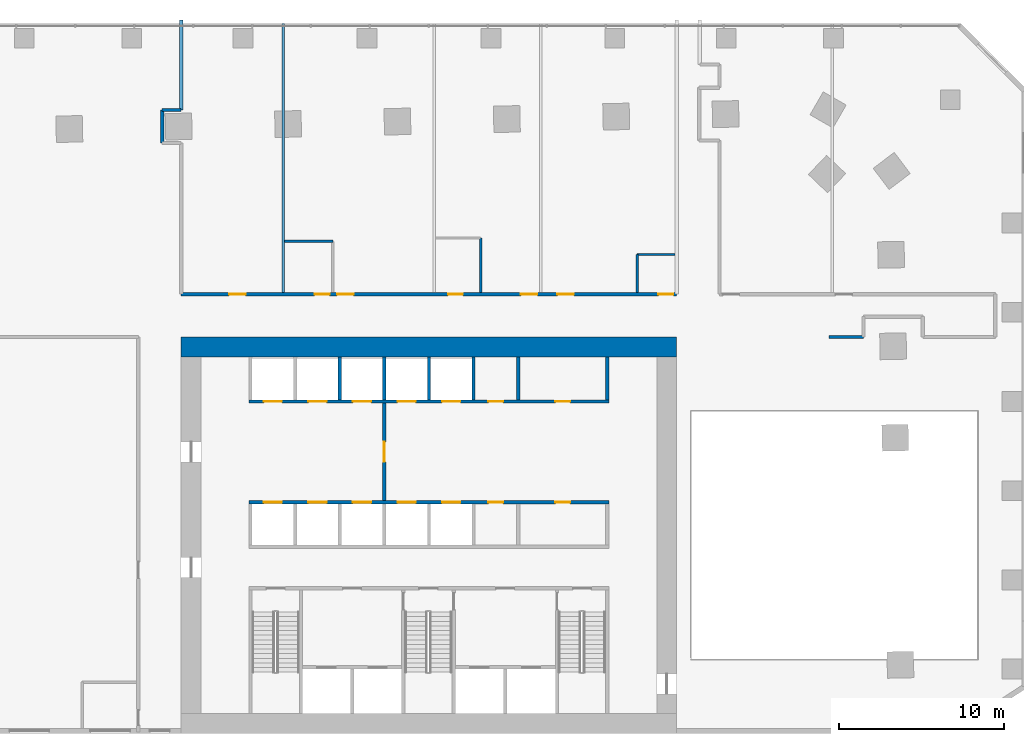
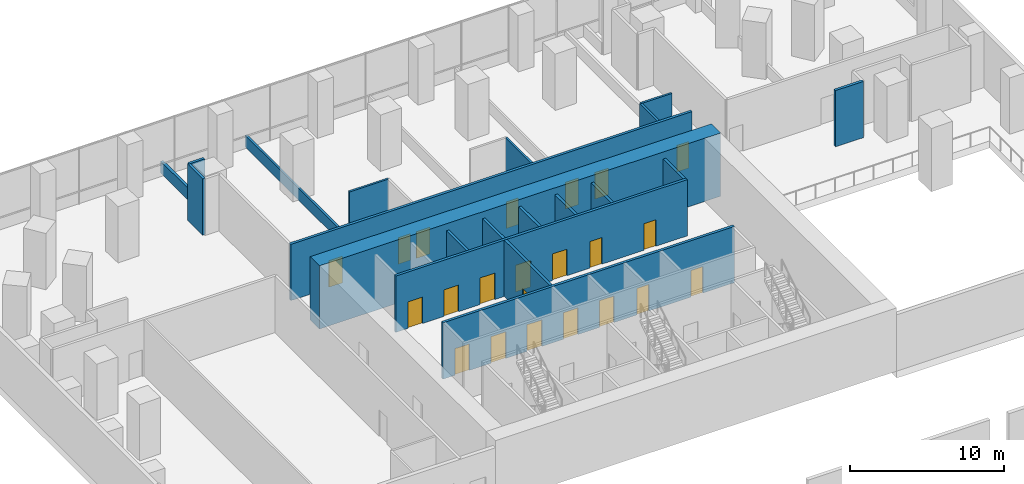
# One storey, part 8 of 11: 22 doors, 20 walls, 22 openings.
"""IFC4 building model written with IfcOpenShell, lengths in metres."""

from ifc_helpers import new_model, si_unit, direction, frame, frame_2d, origin, place, context, subcontext, project, spatial, rectangle, extrude, material, layer, layer_set, type_object, element, fill, save


model = new_model("IFC4")

# Units and contexts
model_context = context("Model", 3, precision=1e-05, world=origin(), true_north=direction((0.0, 1.0)))
body_context = subcontext(model_context, "Body", "Model", "MODEL_VIEW")
ifc_project = project(units=[si_unit("LENGTHUNIT", "METRE"), si_unit("AREAUNIT", "SQUARE_METRE"), si_unit("VOLUMEUNIT", "CUBIC_METRE"), si_unit("PLANEANGLEUNIT", "RADIAN"), si_unit("MASSUNIT", "GRAM", prefix="KILO")], contexts=[model_context])

# Site, building, storey
site_placement = place(None, origin())
site = spatial("IfcSite", under=ifc_project, at=site_placement, CompositionType="ELEMENT")
building_placement = place(site_placement, origin())
building = spatial("IfcBuilding", under=site, at=building_placement, Name="Mangrove Gate Tower", CompositionType="ELEMENT")
storey_placement = place(building_placement, frame((0.0, 0.0, 6.0)))
storey = spatial("IfcBuildingStorey", under=building, at=storey_placement, Name="L01", CompositionType="ELEMENT", Elevation=6.0)

# Wall, opening, door
ifc_material_1 = material(Name="Concrete C32/40", Category="concrete")
ifc_layer_1 = layer(ifc_material_1, 0.199951171875)
ifc_layer_set_1 = layer_set([ifc_layer_1], Name="Core lobby wall 200 C32/40")
wall_type_1 = type_object("IfcWallType", Name="Core lobby wall 200 C32/40", PredefinedType="STANDARD", material=ifc_layer_set_1)
wall_1_placement = place(storey_placement, frame((-2.699951171875, 2.10009765625, 0.0), z_axis=(0.0, 0.0, 1.0), x_axis=(0.0, 1.0, 0.0)))
wall_1 = element("IfcWall", 1, at=wall_1_placement, inside=storey, type_object=wall_type_1, Name="WALL-L01-CORE-35", PredefinedType="STANDARD", context=body_context, shape_type="SweptSolid", body=[
    extrude(rectangle(XDim=5.89990234375, YDim=0.199951171875, at=frame_2d((2.949951171875, 0.0))), origin(), (0.0, 0.0, 1.0), 4.449951171875),
])
opening_1_placement = place(wall_1_placement, frame((2.35009765625, 0.0, 0.0)))
opening_1 = element("IfcOpeningElement", 2, at=opening_1_placement, cuts=wall_1, Name="Opening FL12", PredefinedType="OPENING", context=body_context, shape_type="SweptSolid", body=[
    extrude(rectangle(XDim=1.199951171875, YDim=2.10009765625, at=frame_2d((0.60009765625, 1.050048828125))), frame((0.0, 0.10986328125, 0.0), z_axis=(0.0, -1.0, 0.0), x_axis=(1.0, 0.0, 0.0)), (0.0, 0.0, 1.0), 0.219970703125),
])
ifc_material_2 = material(Name="Fire-rated steel door set", Category="steel")
door_type_1 = type_object("IfcDoorType", Name="Lobby door FD60 1200x2100", OperationType="SINGLE_SWING_LEFT", PredefinedType="DOOR", material=ifc_material_2)
door_1_placement = place(opening_1_placement, origin())
door_1 = element("IfcDoor", 3, at=door_1_placement, inside=storey, type_object=door_type_1, Name="Lobby door lift lobby partition", OperationType="SINGLE_SWING_LEFT", OverallHeight=2.10009765625, OverallWidth=1.199951171875, PredefinedType="DOOR", context=body_context, shape_type="SweptSolid", body=[
    extrude(rectangle(XDim=1.199951171875, YDim=2.10009765625, at=frame_2d((0.60009765625, 1.050048828125))), frame((0.0, 0.02490234375, 0.0), z_axis=(0.0, -1.0, 0.0), x_axis=(1.0, 0.0, 0.0)), (0.0, 0.0, 1.0), 0.050048828125),
])
fill(opening_1, door_1)

# Walls
ifc_material_3 = material(Name="Concrete C32/40", Category="concrete")
ifc_layer_2 = layer(ifc_material_3, 0.199951171875)
ifc_layer_set_2 = layer_set([ifc_layer_2], Name="Core room wall 200 C32/40")
wall_type_2 = type_object("IfcWallType", Name="Core room wall 200 C32/40", PredefinedType="STANDARD", material=ifc_layer_set_2)
for number, where, z_axis, x_axis, name in (
    (4, (5.39990234375, 8.199951171875, 0.0), (0.0, 0.0, 1.0), (0.0, 1.0, 0.0), "WALL-L01-CORE-33"),
    (5, (10.800048828125, 8.199951171875, 0.0), (0.0, 0.0, 1.0), (0.0, 1.0, 0.0), "WALL-L01-CORE-34"),
):
    element("IfcWall", number, at=place(storey_placement, frame(where, z_axis=z_axis, x_axis=x_axis)), inside=storey, type_object=wall_type_2, Name=name, PredefinedType="STANDARD", context=body_context, shape_type="SweptSolid", body=[
        extrude(rectangle(XDim=2.60009765625, YDim=0.199951171875, at=frame_2d((1.300048828125, 0.0))), origin(), (0.0, 0.0, 1.0), 4.449951171875),
    ])

# Wall, openings, doors
ifc_material_4 = material(Name="Concrete C70/85", Category="concrete")
ifc_layer_3 = layer(ifc_material_4, 0.199951171875)
ifc_layer_set_3 = layer_set([ifc_layer_3], Name="Core shaft wall 200 C70/85")
wall_type_3 = type_object("IfcWallType", Name="Core shaft wall 200 C70/85", PredefinedType="SHEAR", material=ifc_layer_set_3)
wall_2_placement = place(storey_placement, frame((-10.89990234375, 2.0, 0.0), z_axis=(0.0, 0.0, 1.0), x_axis=(1.0, 0.0, 0.0)))
wall_2 = element("IfcWall", 6, at=wall_2_placement, inside=storey, type_object=wall_type_3, Name="WALL-L01-CORE-7", PredefinedType="SHEAR", context=body_context, shape_type="SweptSolid", body=[
    extrude(rectangle(XDim=21.7998046875, YDim=0.199951171875, at=frame_2d((10.89990234375, 0.0))), origin(), (0.0, 0.0, 1.0), 4.449951171875),
])
opening_2_placement = place(wall_2_placement, frame((0.89990234375, 0.0, 0.0)))
opening_2 = element("IfcOpeningElement", 7, at=opening_2_placement, cuts=wall_2, Name="Opening LD", PredefinedType="OPENING", context=body_context, shape_type="SweptSolid", body=[
    extrude(rectangle(XDim=1.10009765625, YDim=2.10009765625, at=frame_2d((0.550048828125, 1.050048828125))), frame((0.0, 0.10986328125, 0.0), z_axis=(0.0, -1.0, 0.0), x_axis=(1.0, 0.0, 0.0)), (0.0, 0.0, 1.0), 0.219970703125),
])
opening_3_placement = place(wall_2_placement, frame((3.60009765625, 0.0, 0.0)))
opening_3 = element("IfcOpeningElement", 8, at=opening_3_placement, cuts=wall_2, Name="Opening LD", PredefinedType="OPENING", context=body_context, shape_type="SweptSolid", body=[
    extrude(rectangle(XDim=1.10009765625, YDim=2.10009765625, at=frame_2d((0.550048828125, 1.050048828125))), frame((0.0, 0.10986328125, 0.0), z_axis=(0.0, -1.0, 0.0), x_axis=(1.0, 0.0, 0.0)), (0.0, 0.0, 1.0), 0.219970703125),
])
opening_4_placement = place(wall_2_placement, frame((6.300048828125, 0.0, 0.0)))
opening_4 = element("IfcOpeningElement", 9, at=opening_4_placement, cuts=wall_2, Name="Opening LD", PredefinedType="OPENING", context=body_context, shape_type="SweptSolid", body=[
    extrude(rectangle(XDim=1.10009765625, YDim=2.10009765625, at=frame_2d((0.550048828125, 1.050048828125))), frame((0.0, 0.10986328125, 0.0), z_axis=(0.0, -1.0, 0.0), x_axis=(1.0, 0.0, 0.0)), (0.0, 0.0, 1.0), 0.219970703125),
])
opening_5_placement = place(wall_2_placement, frame((9.0, 0.0, 0.0)))
opening_5 = element("IfcOpeningElement", 10, at=opening_5_placement, cuts=wall_2, Name="Opening LD", PredefinedType="OPENING", context=body_context, shape_type="SweptSolid", body=[
    extrude(rectangle(XDim=1.10009765625, YDim=2.10009765625, at=frame_2d((0.550048828125, 1.050048828125))), frame((0.0, 0.10986328125, 0.0), z_axis=(0.0, -1.0, 0.0), x_axis=(1.0, 0.0, 0.0)), (0.0, 0.0, 1.0), 0.219970703125),
])
opening_6_placement = place(wall_2_placement, frame((11.699951171875, 0.0, 0.0)))
opening_6 = element("IfcOpeningElement", 11, at=opening_6_placement, cuts=wall_2, Name="Opening LD", PredefinedType="OPENING", context=body_context, shape_type="SweptSolid", body=[
    extrude(rectangle(XDim=1.10009765625, YDim=2.10009765625, at=frame_2d((0.550048828125, 1.050048828125))), frame((0.0, 0.10986328125, 0.0), z_axis=(0.0, -1.0, 0.0), x_axis=(1.0, 0.0, 0.0)), (0.0, 0.0, 1.0), 0.219970703125),
])
opening_7_placement = place(wall_2_placement, frame((14.5, 0.0, 0.0)))
opening_7 = element("IfcOpeningElement", 12, at=opening_7_placement, cuts=wall_2, Name="Opening RD", PredefinedType="OPENING", context=body_context, shape_type="SweptSolid", body=[
    extrude(rectangle(XDim=0.89990234375, YDim=2.10009765625, at=frame_2d((0.449951171875, 1.050048828125))), frame((0.0, 0.10986328125, 0.0), z_axis=(0.0, -1.0, 0.0), x_axis=(1.0, 0.0, 0.0)), (0.0, 0.0, 1.0), 0.219970703125),
])
opening_8_placement = place(wall_2_placement, frame((18.550048828125, 0.0, 0.0)))
opening_8 = element("IfcOpeningElement", 13, at=opening_8_placement, cuts=wall_2, Name="Opening KD", PredefinedType="OPENING", context=body_context, shape_type="SweptSolid", body=[
    extrude(rectangle(XDim=0.89990234375, YDim=2.10009765625, at=frame_2d((0.449951171875, 1.050048828125))), frame((0.0, 0.10986328125, 0.0), z_axis=(0.0, -1.0, 0.0), x_axis=(1.0, 0.0, 0.0)), (0.0, 0.0, 1.0), 0.219970703125),
])
ifc_material_5 = material(Name="Fire-rated steel door set", Category="steel")
door_type_2 = type_object("IfcDoorType", Name="Core room door FD30S 900x2100", OperationType="SINGLE_SWING_RIGHT", PredefinedType="DOOR", material=ifc_material_5)
door_2_placement = place(opening_8_placement, origin())
door_2 = element("IfcDoor", 14, at=door_2_placement, inside=storey, type_object=door_type_2, Name="Core room door Core WC", OperationType="SINGLE_SWING_RIGHT", OverallHeight=2.10009765625, OverallWidth=0.89990234375, PredefinedType="DOOR", context=body_context, shape_type="SweptSolid", body=[
    extrude(rectangle(XDim=0.89990234375, YDim=2.10009765625, at=frame_2d((0.449951171875, 1.050048828125))), frame((0.0, 0.02490234375, 0.0), z_axis=(0.0, -1.0, 0.0), x_axis=(1.0, 0.0, 0.0)), (0.0, 0.0, 1.0), 0.050048828125),
])
fill(opening_8, door_2)
ifc_material_6 = material(Name="Stainless steel 316", Category="steel")
door_type_3 = type_object("IfcDoorType", Name="Lift landing door 1100x2100", OperationType="SLIDING_TO_LEFT", PredefinedType="DOOR", material=ifc_material_6)
door_3_placement = place(opening_2_placement, origin())
door_3 = element("IfcDoor", 15, at=door_3_placement, inside=storey, type_object=door_type_3, Name="Landing door LD P01", OperationType="SLIDING_TO_LEFT", OverallHeight=2.10009765625, OverallWidth=1.10009765625, PredefinedType="DOOR", context=body_context, shape_type="SweptSolid", body=[
    extrude(rectangle(XDim=1.10009765625, YDim=2.10009765625, at=frame_2d((0.550048828125, 1.050048828125))), frame((0.0, 0.02490234375, 0.0), z_axis=(0.0, -1.0, 0.0), x_axis=(1.0, 0.0, 0.0)), (0.0, 0.0, 1.0), 0.050048828125),
])
fill(opening_2, door_3)
door_4_placement = place(opening_3_placement, origin())
door_4 = element("IfcDoor", 16, at=door_4_placement, inside=storey, type_object=door_type_3, Name="Landing door LD P02", OperationType="SLIDING_TO_LEFT", OverallHeight=2.10009765625, OverallWidth=1.10009765625, PredefinedType="DOOR", context=body_context, shape_type="SweptSolid", body=[
    extrude(rectangle(XDim=1.10009765625, YDim=2.10009765625, at=frame_2d((0.550048828125, 1.050048828125))), frame((0.0, 0.02490234375, 0.0), z_axis=(0.0, -1.0, 0.0), x_axis=(1.0, 0.0, 0.0)), (0.0, 0.0, 1.0), 0.050048828125),
])
fill(opening_3, door_4)
door_5_placement = place(opening_4_placement, origin())
door_5 = element("IfcDoor", 17, at=door_5_placement, inside=storey, type_object=door_type_3, Name="Landing door LD P03", OperationType="SLIDING_TO_LEFT", OverallHeight=2.10009765625, OverallWidth=1.10009765625, PredefinedType="DOOR", context=body_context, shape_type="SweptSolid", body=[
    extrude(rectangle(XDim=1.10009765625, YDim=2.10009765625, at=frame_2d((0.550048828125, 1.050048828125))), frame((0.0, 0.02490234375, 0.0), z_axis=(0.0, -1.0, 0.0), x_axis=(1.0, 0.0, 0.0)), (0.0, 0.0, 1.0), 0.050048828125),
])
fill(opening_4, door_5)
door_6_placement = place(opening_5_placement, origin())
door_6 = element("IfcDoor", 18, at=door_6_placement, inside=storey, type_object=door_type_3, Name="Landing door LD P04", OperationType="SLIDING_TO_LEFT", OverallHeight=2.10009765625, OverallWidth=1.10009765625, PredefinedType="DOOR", context=body_context, shape_type="SweptSolid", body=[
    extrude(rectangle(XDim=1.10009765625, YDim=2.10009765625, at=frame_2d((0.550048828125, 1.050048828125))), frame((0.0, 0.02490234375, 0.0), z_axis=(0.0, -1.0, 0.0), x_axis=(1.0, 0.0, 0.0)), (0.0, 0.0, 1.0), 0.050048828125),
])
fill(opening_5, door_6)
door_7_placement = place(opening_6_placement, origin())
door_7 = element("IfcDoor", 19, at=door_7_placement, inside=storey, type_object=door_type_3, Name="Landing door LD P05", OperationType="SLIDING_TO_LEFT", OverallHeight=2.10009765625, OverallWidth=1.10009765625, PredefinedType="DOOR", context=body_context, shape_type="SweptSolid", body=[
    extrude(rectangle(XDim=1.10009765625, YDim=2.10009765625, at=frame_2d((0.550048828125, 1.050048828125))), frame((0.0, 0.02490234375, 0.0), z_axis=(0.0, -1.0, 0.0), x_axis=(1.0, 0.0, 0.0)), (0.0, 0.0, 1.0), 0.050048828125),
])
fill(opening_6, door_7)
ifc_material_7 = material(Name="Fire-rated steel door set", Category="steel")
door_type_4 = type_object("IfcDoorType", Name="Riser door FD30S 900x2100", OperationType="SINGLE_SWING_LEFT", PredefinedType="DOOR", material=ifc_material_7)
door_8_placement = place(opening_7_placement, origin())
door_8 = element("IfcDoor", 20, at=door_8_placement, inside=storey, type_object=door_type_4, Name="Riser door Comms room", OperationType="SINGLE_SWING_LEFT", OverallHeight=2.10009765625, OverallWidth=0.89990234375, PredefinedType="DOOR", context=body_context, shape_type="SweptSolid", body=[
    extrude(rectangle(XDim=0.89990234375, YDim=2.10009765625, at=frame_2d((0.449951171875, 1.050048828125))), frame((0.0, 0.02490234375, 0.0), z_axis=(0.0, -1.0, 0.0), x_axis=(1.0, 0.0, 0.0)), (0.0, 0.0, 1.0), 0.050048828125),
])
fill(opening_7, door_8)

wall_3_placement = place(storey_placement, frame((-10.89990234375, 8.10009765625, 0.0), z_axis=(0.0, 0.0, 1.0), x_axis=(1.0, 0.0, 0.0)))
wall_3 = element("IfcWall", 21, at=wall_3_placement, inside=storey, type_object=wall_type_3, Name="WALL-L01-CORE-8", PredefinedType="SHEAR", context=body_context, shape_type="SweptSolid", body=[
    extrude(rectangle(XDim=21.7998046875, YDim=0.199951171875, at=frame_2d((10.89990234375, 0.0))), origin(), (0.0, 0.0, 1.0), 4.449951171875),
])
opening_9_placement = place(wall_3_placement, frame((0.89990234375, 0.0, 0.0)))
opening_9 = element("IfcOpeningElement", 22, at=opening_9_placement, cuts=wall_3, Name="Opening LD", PredefinedType="OPENING", context=body_context, shape_type="SweptSolid", body=[
    extrude(rectangle(XDim=1.10009765625, YDim=2.10009765625, at=frame_2d((0.550048828125, 1.050048828125))), frame((0.0, 0.10986328125, 0.0), z_axis=(0.0, -1.0, 0.0), x_axis=(1.0, 0.0, 0.0)), (0.0, 0.0, 1.0), 0.219970703125),
])
opening_10_placement = place(wall_3_placement, frame((3.60009765625, 0.0, 0.0)))
opening_10 = element("IfcOpeningElement", 23, at=opening_10_placement, cuts=wall_3, Name="Opening LD", PredefinedType="OPENING", context=body_context, shape_type="SweptSolid", body=[
    extrude(rectangle(XDim=1.10009765625, YDim=2.10009765625, at=frame_2d((0.550048828125, 1.050048828125))), frame((0.0, 0.10986328125, 0.0), z_axis=(0.0, -1.0, 0.0), x_axis=(1.0, 0.0, 0.0)), (0.0, 0.0, 1.0), 0.219970703125),
])
opening_11_placement = place(wall_3_placement, frame((6.300048828125, 0.0, 0.0)))
opening_11 = element("IfcOpeningElement", 24, at=opening_11_placement, cuts=wall_3, Name="Opening LD", PredefinedType="OPENING", context=body_context, shape_type="SweptSolid", body=[
    extrude(rectangle(XDim=1.10009765625, YDim=2.10009765625, at=frame_2d((0.550048828125, 1.050048828125))), frame((0.0, 0.10986328125, 0.0), z_axis=(0.0, -1.0, 0.0), x_axis=(1.0, 0.0, 0.0)), (0.0, 0.0, 1.0), 0.219970703125),
])
opening_12_placement = place(wall_3_placement, frame((9.0, 0.0, 0.0)))
opening_12 = element("IfcOpeningElement", 25, at=opening_12_placement, cuts=wall_3, Name="Opening LD", PredefinedType="OPENING", context=body_context, shape_type="SweptSolid", body=[
    extrude(rectangle(XDim=1.10009765625, YDim=2.10009765625, at=frame_2d((0.550048828125, 1.050048828125))), frame((0.0, 0.10986328125, 0.0), z_axis=(0.0, -1.0, 0.0), x_axis=(1.0, 0.0, 0.0)), (0.0, 0.0, 1.0), 0.219970703125),
])
opening_13_placement = place(wall_3_placement, frame((11.699951171875, 0.0, 0.0)))
opening_13 = element("IfcOpeningElement", 26, at=opening_13_placement, cuts=wall_3, Name="Opening LD", PredefinedType="OPENING", context=body_context, shape_type="SweptSolid", body=[
    extrude(rectangle(XDim=1.10009765625, YDim=2.10009765625, at=frame_2d((0.550048828125, 1.050048828125))), frame((0.0, 0.10986328125, 0.0), z_axis=(0.0, -1.0, 0.0), x_axis=(1.0, 0.0, 0.0)), (0.0, 0.0, 1.0), 0.219970703125),
])
opening_14_placement = place(wall_3_placement, frame((14.5, 0.0, 0.0)))
opening_14 = element("IfcOpeningElement", 27, at=opening_14_placement, cuts=wall_3, Name="Opening KD", PredefinedType="OPENING", context=body_context, shape_type="SweptSolid", body=[
    extrude(rectangle(XDim=0.89990234375, YDim=2.10009765625, at=frame_2d((0.449951171875, 1.050048828125))), frame((0.0, 0.10986328125, 0.0), z_axis=(0.0, -1.0, 0.0), x_axis=(1.0, 0.0, 0.0)), (0.0, 0.0, 1.0), 0.219970703125),
])
opening_15_placement = place(wall_3_placement, frame((18.550048828125, 0.0, 0.0)))
opening_15 = element("IfcOpeningElement", 28, at=opening_15_placement, cuts=wall_3, Name="Opening KD", PredefinedType="OPENING", context=body_context, shape_type="SweptSolid", body=[
    extrude(rectangle(XDim=0.89990234375, YDim=2.10009765625, at=frame_2d((0.449951171875, 1.050048828125))), frame((0.0, 0.10986328125, 0.0), z_axis=(0.0, -1.0, 0.0), x_axis=(1.0, 0.0, 0.0)), (0.0, 0.0, 1.0), 0.219970703125),
])
door_9_placement = place(opening_14_placement, origin())
door_9 = element("IfcDoor", 29, at=door_9_placement, inside=storey, type_object=door_type_2, Name="Core room door Pantry store", OperationType="SINGLE_SWING_RIGHT", OverallHeight=2.10009765625, OverallWidth=0.89990234375, PredefinedType="DOOR", context=body_context, shape_type="SweptSolid", body=[
    extrude(rectangle(XDim=0.89990234375, YDim=2.10009765625, at=frame_2d((0.449951171875, 1.050048828125))), frame((0.0, 0.02490234375, 0.0), z_axis=(0.0, -1.0, 0.0), x_axis=(1.0, 0.0, 0.0)), (0.0, 0.0, 1.0), 0.050048828125),
])
fill(opening_14, door_9)
door_10_placement = place(opening_15_placement, origin())
door_10 = element("IfcDoor", 30, at=door_10_placement, inside=storey, type_object=door_type_2, Name="Core room door Cleaner's store", OperationType="SINGLE_SWING_RIGHT", OverallHeight=2.10009765625, OverallWidth=0.89990234375, PredefinedType="DOOR", context=body_context, shape_type="SweptSolid", body=[
    extrude(rectangle(XDim=0.89990234375, YDim=2.10009765625, at=frame_2d((0.449951171875, 1.050048828125))), frame((0.0, 0.02490234375, 0.0), z_axis=(0.0, -1.0, 0.0), x_axis=(1.0, 0.0, 0.0)), (0.0, 0.0, 1.0), 0.050048828125),
])
fill(opening_15, door_10)
door_11_placement = place(opening_9_placement, origin())
door_11 = element("IfcDoor", 31, at=door_11_placement, inside=storey, type_object=door_type_3, Name="Landing door LD P06", OperationType="SLIDING_TO_LEFT", OverallHeight=2.10009765625, OverallWidth=1.10009765625, PredefinedType="DOOR", context=body_context, shape_type="SweptSolid", body=[
    extrude(rectangle(XDim=1.10009765625, YDim=2.10009765625, at=frame_2d((0.550048828125, 1.050048828125))), frame((0.0, 0.02490234375, 0.0), z_axis=(0.0, -1.0, 0.0), x_axis=(1.0, 0.0, 0.0)), (0.0, 0.0, 1.0), 0.050048828125),
])
fill(opening_9, door_11)
door_12_placement = place(opening_10_placement, origin())
door_12 = element("IfcDoor", 32, at=door_12_placement, inside=storey, type_object=door_type_3, Name="Landing door LD P07", OperationType="SLIDING_TO_LEFT", OverallHeight=2.10009765625, OverallWidth=1.10009765625, PredefinedType="DOOR", context=body_context, shape_type="SweptSolid", body=[
    extrude(rectangle(XDim=1.10009765625, YDim=2.10009765625, at=frame_2d((0.550048828125, 1.050048828125))), frame((0.0, 0.02490234375, 0.0), z_axis=(0.0, -1.0, 0.0), x_axis=(1.0, 0.0, 0.0)), (0.0, 0.0, 1.0), 0.050048828125),
])
fill(opening_10, door_12)
door_13_placement = place(opening_11_placement, origin())
door_13 = element("IfcDoor", 33, at=door_13_placement, inside=storey, type_object=door_type_3, Name="Landing door LD P08", OperationType="SLIDING_TO_LEFT", OverallHeight=2.10009765625, OverallWidth=1.10009765625, PredefinedType="DOOR", context=body_context, shape_type="SweptSolid", body=[
    extrude(rectangle(XDim=1.10009765625, YDim=2.10009765625, at=frame_2d((0.550048828125, 1.050048828125))), frame((0.0, 0.02490234375, 0.0), z_axis=(0.0, -1.0, 0.0), x_axis=(1.0, 0.0, 0.0)), (0.0, 0.0, 1.0), 0.050048828125),
])
fill(opening_11, door_13)
door_14_placement = place(opening_12_placement, origin())
door_14 = element("IfcDoor", 34, at=door_14_placement, inside=storey, type_object=door_type_3, Name="Landing door LD P09", OperationType="SLIDING_TO_LEFT", OverallHeight=2.10009765625, OverallWidth=1.10009765625, PredefinedType="DOOR", context=body_context, shape_type="SweptSolid", body=[
    extrude(rectangle(XDim=1.10009765625, YDim=2.10009765625, at=frame_2d((0.550048828125, 1.050048828125))), frame((0.0, 0.02490234375, 0.0), z_axis=(0.0, -1.0, 0.0), x_axis=(1.0, 0.0, 0.0)), (0.0, 0.0, 1.0), 0.050048828125),
])
fill(opening_12, door_14)
door_15_placement = place(opening_13_placement, origin())
door_15 = element("IfcDoor", 35, at=door_15_placement, inside=storey, type_object=door_type_3, Name="Landing door LD P10", OperationType="SLIDING_TO_LEFT", OverallHeight=2.10009765625, OverallWidth=1.10009765625, PredefinedType="DOOR", context=body_context, shape_type="SweptSolid", body=[
    extrude(rectangle(XDim=1.10009765625, YDim=2.10009765625, at=frame_2d((0.550048828125, 1.050048828125))), frame((0.0, 0.02490234375, 0.0), z_axis=(0.0, -1.0, 0.0), x_axis=(1.0, 0.0, 0.0)), (0.0, 0.0, 1.0), 0.050048828125),
])
fill(opening_13, door_15)

# Walls
for number, where, z_axis, x_axis, name in (
    (36, (-5.39990234375, 8.199951171875, 0.0), (0.0, 0.0, 1.0), (0.0, 1.0, 0.0), "WALL-L01-CORE-29"),
    (37, (-2.699951171875, 8.199951171875, 0.0), (0.0, 0.0, 1.0), (0.0, 1.0, 0.0), "WALL-L01-CORE-30"),
    (38, (0.0, 8.199951171875, 0.0), (0.0, 0.0, 1.0), (0.0, 1.0, 0.0), "WALL-L01-CORE-31"),
    (39, (2.699951171875, 8.199951171875, 0.0), (0.0, 0.0, 1.0), (0.0, 1.0, 0.0), "WALL-L01-CORE-32"),
):
    element("IfcWall", number, at=place(storey_placement, frame(where, z_axis=z_axis, x_axis=x_axis)), inside=storey, type_object=wall_type_3, Name=name, PredefinedType="SHEAR", context=body_context, shape_type="SweptSolid", body=[
        extrude(rectangle(XDim=2.60009765625, YDim=0.199951171875, at=frame_2d((1.300048828125, 0.0))), origin(), (0.0, 0.0, 1.0), 4.449951171875),
    ])
ifc_material_8 = material(Name="Concrete C70/85", Category="concrete")
ifc_layer_4 = layer(ifc_material_8, 1.199951171875)
ifc_layer_set_4 = layer_set([ifc_layer_4], Name="Core wall 1200 C70/85")
wall_type_4 = type_object("IfcWallType", Name="Core wall 1200 C70/85", PredefinedType="SHEAR", material=ifc_layer_set_4)
wall_4_placement = place(storey_placement, frame((-15.0, 11.39990234375, 0.0), z_axis=(0.0, 0.0, 1.0), x_axis=(1.0, 0.0, 0.0)))
element("IfcWall", 40, at=wall_4_placement, inside=storey, type_object=wall_type_4, Name="WALL-L01-CORE-2", PredefinedType="SHEAR", context=body_context, shape_type="SweptSolid", body=[
    extrude(rectangle(XDim=30.0, YDim=1.199951171875, at=frame_2d((15.0, 0.0))), origin(), (0.0, 0.0, 1.0), 5.0),
])
ifc_material_9 = material(Name="Gypsum board on steel stud, EI 60", Category="steel")
ifc_layer_5 = layer(ifc_material_9, 0.199951171875)
ifc_layer_set_5 = layer_set([ifc_layer_5], Name="Corridor wall EI 60")
wall_type_5 = type_object("IfcWallType", Name="Corridor wall EI 60", PredefinedType="PARTITIONING", material=ifc_layer_set_5)
wall_5_placement = place(storey_placement, frame((24.22607421875, 12.0, 0.0), z_axis=(0.0, 0.0, 1.0), x_axis=(1.0, 0.0, 0.0)))
element("IfcWall", 41, at=wall_5_placement, inside=storey, type_object=wall_type_5, Name="WALL-L01-007", PredefinedType="PARTITIONING", context=body_context, shape_type="SweptSolid", body=[
    extrude(rectangle(XDim=2.083984375, YDim=0.199951171875, at=frame_2d((1.0419921875, 0.0))), origin(), (0.0, 0.0, 1.0), 4.449951171875),
])

# Wall, openings, doors
wall_6_placement = place(storey_placement, frame((-15.0, 14.60009765625, 0.0), z_axis=(0.0, 0.0, 1.0), x_axis=(1.0, 0.0, 0.0)))
wall_6 = element("IfcWall", 42, at=wall_6_placement, inside=storey, type_object=wall_type_5, Name="WALL-L01-016", PredefinedType="PARTITIONING", context=body_context, shape_type="SweptSolid", body=[
    extrude(rectangle(XDim=30.0, YDim=0.199951171875, at=frame_2d((15.0, 0.0))), origin(), (0.0, 0.0, 1.0), 4.449951171875),
])
opening_16_placement = place(wall_6_placement, frame((2.89990234375, 0.0, 0.0)))
opening_16 = element("IfcOpeningElement", 43, at=opening_16_placement, cuts=wall_6, Name="Opening AD", PredefinedType="OPENING", context=body_context, shape_type="SweptSolid", body=[
    extrude(rectangle(XDim=1.0, YDim=2.10009765625, at=frame_2d((0.5, 1.050048828125))), frame((0.0, 0.10986328125, 0.0), z_axis=(0.0, -1.0, 0.0), x_axis=(1.0, 0.0, 0.0)), (0.0, 0.0, 1.0), 0.219970703125),
])
opening_17_placement = place(wall_6_placement, frame((9.43994140625, 0.0, 0.0)))
opening_17 = element("IfcOpeningElement", 44, at=opening_17_placement, cuts=wall_6, Name="Opening AD", PredefinedType="OPENING", context=body_context, shape_type="SweptSolid", body=[
    extrude(rectangle(XDim=1.0, YDim=2.10009765625, at=frame_2d((0.5, 1.050048828125))), frame((0.0, 0.10986328125, 0.0), z_axis=(0.0, -1.0, 0.0), x_axis=(1.0, 0.0, 0.0)), (0.0, 0.0, 1.0), 0.219970703125),
])
opening_18_placement = place(wall_6_placement, frame((8.080078125, 0.0, 0.0)))
opening_18 = element("IfcOpeningElement", 45, at=opening_18_placement, cuts=wall_6, Name="Opening SD", PredefinedType="OPENING", context=body_context, shape_type="SweptSolid", body=[
    extrude(rectangle(XDim=0.89990234375, YDim=2.10009765625, at=frame_2d((0.449951171875, 1.050048828125))), frame((0.0, 0.10986328125, 0.0), z_axis=(0.0, -1.0, 0.0), x_axis=(1.0, 0.0, 0.0)), (0.0, 0.0, 1.0), 0.219970703125),
])
opening_19_placement = place(wall_6_placement, frame((20.56005859375, 0.0, 0.0)))
opening_19 = element("IfcOpeningElement", 46, at=opening_19_placement, cuts=wall_6, Name="Opening AD", PredefinedType="OPENING", context=body_context, shape_type="SweptSolid", body=[
    extrude(rectangle(XDim=1.0, YDim=2.10009765625, at=frame_2d((0.5, 1.050048828125))), frame((0.0, 0.10986328125, 0.0), z_axis=(0.0, -1.0, 0.0), x_axis=(1.0, 0.0, 0.0)), (0.0, 0.0, 1.0), 0.219970703125),
])
opening_20_placement = place(wall_6_placement, frame((16.156982421875, 0.0, 0.0)))
opening_20 = element("IfcOpeningElement", 47, at=opening_20_placement, cuts=wall_6, Name="Opening SD", PredefinedType="OPENING", context=body_context, shape_type="SweptSolid", body=[
    extrude(rectangle(XDim=0.89990234375, YDim=2.10009765625, at=frame_2d((0.449951171875, 1.050048828125))), frame((0.0, 0.10986328125, 0.0), z_axis=(0.0, -1.0, 0.0), x_axis=(1.0, 0.0, 0.0)), (0.0, 0.0, 1.0), 0.219970703125),
])
opening_21_placement = place(wall_6_placement, frame((22.779052734375, 0.0, 0.0)))
opening_21 = element("IfcOpeningElement", 48, at=opening_21_placement, cuts=wall_6, Name="Opening AD", PredefinedType="OPENING", context=body_context, shape_type="SweptSolid", body=[
    extrude(rectangle(XDim=1.0, YDim=2.10009765625, at=frame_2d((0.5, 1.050048828125))), frame((0.0, 0.10986328125, 0.0), z_axis=(0.0, -1.0, 0.0), x_axis=(1.0, 0.0, 0.0)), (0.0, 0.0, 1.0), 0.219970703125),
])
opening_22_placement = place(wall_6_placement, frame((28.89990234375, 0.0, 0.0)))
opening_22 = element("IfcOpeningElement", 49, at=opening_22_placement, cuts=wall_6, Name="Opening SD", PredefinedType="OPENING", context=body_context, shape_type="SweptSolid", body=[
    extrude(rectangle(XDim=0.89990234375, YDim=2.10009765625, at=frame_2d((0.449951171875, 1.050048828125))), frame((0.0, 0.10986328125, 0.0), z_axis=(0.0, -1.0, 0.0), x_axis=(1.0, 0.0, 0.0)), (0.0, 0.0, 1.0), 0.219970703125),
])
ifc_material_10 = material(Name="Timber door leaf", Category="wood")
door_type_5 = type_object("IfcDoorType", Name="Amenity door 1000", OperationType="SINGLE_SWING_LEFT", PredefinedType="DOOR", material=ifc_material_10)
door_16_placement = place(opening_16_placement, origin())
door_16 = element("IfcDoor", 50, at=door_16_placement, inside=storey, type_object=door_type_5, Name="DOOR-L01-POD-04", OperationType="SINGLE_SWING_RIGHT", OverallHeight=2.10009765625, OverallWidth=1.0, PredefinedType="DOOR", context=body_context, shape_type="SweptSolid", body=[
    extrude(rectangle(XDim=1.0, YDim=2.10009765625, at=frame_2d((0.5, 1.050048828125))), frame((0.0, 0.02490234375, 0.0), z_axis=(0.0, -1.0, 0.0), x_axis=(1.0, 0.0, 0.0)), (0.0, 0.0, 1.0), 0.050048828125),
])
fill(opening_16, door_16)
door_17_placement = place(opening_17_placement, origin())
door_17 = element("IfcDoor", 51, at=door_17_placement, inside=storey, type_object=door_type_5, Name="DOOR-L01-POD-05", OperationType="SINGLE_SWING_LEFT", OverallHeight=2.10009765625, OverallWidth=1.0, PredefinedType="DOOR", context=body_context, shape_type="SweptSolid", body=[
    extrude(rectangle(XDim=1.0, YDim=2.10009765625, at=frame_2d((0.5, 1.050048828125))), frame((0.0, 0.02490234375, 0.0), z_axis=(0.0, -1.0, 0.0), x_axis=(1.0, 0.0, 0.0)), (0.0, 0.0, 1.0), 0.050048828125),
])
fill(opening_17, door_17)
door_18_placement = place(opening_19_placement, origin())
door_18 = element("IfcDoor", 52, at=door_18_placement, inside=storey, type_object=door_type_5, Name="DOOR-L01-POD-06", OperationType="SINGLE_SWING_RIGHT", OverallHeight=2.10009765625, OverallWidth=1.0, PredefinedType="DOOR", context=body_context, shape_type="SweptSolid", body=[
    extrude(rectangle(XDim=1.0, YDim=2.10009765625, at=frame_2d((0.5, 1.050048828125))), frame((0.0, 0.02490234375, 0.0), z_axis=(0.0, -1.0, 0.0), x_axis=(1.0, 0.0, 0.0)), (0.0, 0.0, 1.0), 0.050048828125),
])
fill(opening_19, door_18)
door_19_placement = place(opening_21_placement, origin())
door_19 = element("IfcDoor", 53, at=door_19_placement, inside=storey, type_object=door_type_5, Name="DOOR-L01-POD-07", OperationType="SINGLE_SWING_LEFT", OverallHeight=2.10009765625, OverallWidth=1.0, PredefinedType="DOOR", context=body_context, shape_type="SweptSolid", body=[
    extrude(rectangle(XDim=1.0, YDim=2.10009765625, at=frame_2d((0.5, 1.050048828125))), frame((0.0, 0.02490234375, 0.0), z_axis=(0.0, -1.0, 0.0), x_axis=(1.0, 0.0, 0.0)), (0.0, 0.0, 1.0), 0.050048828125),
])
fill(opening_21, door_19)
ifc_material_11 = material(Name="Timber door leaf", Category="wood")
door_type_6 = type_object("IfcDoorType", Name="Service room door 900", OperationType="SINGLE_SWING_LEFT", PredefinedType="DOOR", material=ifc_material_11)
door_20_placement = place(opening_18_placement, origin())
door_20 = element("IfcDoor", 54, at=door_20_placement, inside=storey, type_object=door_type_6, Name="DOOR-L01-PSV-05", OperationType="SINGLE_SWING_RIGHT", OverallHeight=2.10009765625, OverallWidth=0.89990234375, PredefinedType="DOOR", context=body_context, shape_type="SweptSolid", body=[
    extrude(rectangle(XDim=0.89990234375, YDim=2.10009765625, at=frame_2d((0.449951171875, 1.050048828125))), frame((0.0, 0.02490234375, 0.0), z_axis=(0.0, -1.0, 0.0), x_axis=(1.0, 0.0, 0.0)), (0.0, 0.0, 1.0), 0.050048828125),
])
fill(opening_18, door_20)
door_21_placement = place(opening_20_placement, origin())
door_21 = element("IfcDoor", 55, at=door_21_placement, inside=storey, type_object=door_type_6, Name="DOOR-L01-PSV-06", OperationType="SINGLE_SWING_LEFT", OverallHeight=2.10009765625, OverallWidth=0.89990234375, PredefinedType="DOOR", context=body_context, shape_type="SweptSolid", body=[
    extrude(rectangle(XDim=0.89990234375, YDim=2.10009765625, at=frame_2d((0.449951171875, 1.050048828125))), frame((0.0, 0.02490234375, 0.0), z_axis=(0.0, -1.0, 0.0), x_axis=(1.0, 0.0, 0.0)), (0.0, 0.0, 1.0), 0.050048828125),
])
fill(opening_20, door_21)
door_22_placement = place(opening_22_placement, origin())
door_22 = element("IfcDoor", 56, at=door_22_placement, inside=storey, type_object=door_type_6, Name="DOOR-L01-PSV-07", OperationType="SINGLE_SWING_RIGHT", OverallHeight=2.10009765625, OverallWidth=0.89990234375, PredefinedType="DOOR", context=body_context, shape_type="SweptSolid", body=[
    extrude(rectangle(XDim=0.89990234375, YDim=2.10009765625, at=frame_2d((0.449951171875, 1.050048828125))), frame((0.0, 0.02490234375, 0.0), z_axis=(0.0, -1.0, 0.0), x_axis=(1.0, 0.0, 0.0)), (0.0, 0.0, 1.0), 0.050048828125),
])
fill(opening_22, door_22)

# Walls
wall_7_placement = place(storey_placement, frame((-16.14990234375, 23.7490234375, 0.0), z_axis=(0.0, 0.0, 1.0), x_axis=(0.0, 1.0, 0.0)))
element("IfcWall", 57, at=wall_7_placement, inside=storey, type_object=wall_type_5, Name="WALL-L01-031", PredefinedType="PARTITIONING", context=body_context, shape_type="SweptSolid", body=[
    extrude(rectangle(XDim=2.0, YDim=0.199951171875, at=frame_2d((1.0, 0.0))), origin(), (0.0, 0.0, 1.0), 4.449951171875),
])
wall_8_placement = place(storey_placement, frame((-15.0, 25.7490234375, 0.0), z_axis=(0.0, 0.0, 1.0), x_axis=(0.0, 1.0, 0.0)))
element("IfcWall", 58, at=wall_8_placement, inside=storey, type_object=wall_type_5, Name="WALL-L01-035", PredefinedType="PARTITIONING", context=body_context, shape_type="SweptSolid", body=[
    extrude(rectangle(XDim=5.450927734375, YDim=0.199951171875, at=frame_2d((2.7255859375, 0.0))), origin(), (0.0, 0.0, 1.0), 0.93994140625),
])
wall_9_placement = place(storey_placement, frame((-16.153076171875, 25.75, 0.0), z_axis=(0.0, 0.0, 1.0), x_axis=(1.0, 0.0, 0.0)))
element("IfcWall", 59, at=wall_9_placement, inside=storey, type_object=wall_type_5, Name="WALL-L01-036", PredefinedType="PARTITIONING", context=body_context, shape_type="SweptSolid", body=[
    extrude(rectangle(XDim=1.153076171875, YDim=0.199951171875, at=frame_2d((0.57666015625, 0.0))), origin(), (0.0, 0.0, 1.0), 4.449951171875),
])
ifc_material_12 = material(Name="Gypsum board on steel stud, EI 60", Category="steel")
ifc_layer_6 = layer(ifc_material_12, 0.14990234375)
ifc_layer_set_6 = layer_set([ifc_layer_6], Name="Party wall 150 EI 60")
wall_type_6 = type_object("IfcWallType", Name="Party wall 150 EI 60", PredefinedType="PARTITIONING", material=ifc_layer_set_6)
wall_10_placement = place(storey_placement, frame((-8.820068359375, 14.699951171875, 0.0), z_axis=(0.0, 0.0, 1.0), x_axis=(0.0, 1.0, 0.0)))
element("IfcWall", 60, at=wall_10_placement, inside=storey, type_object=wall_type_6, Name="WALL-L01-018", PredefinedType="PARTITIONING", context=body_context, shape_type="SweptSolid", body=[
    extrude(rectangle(XDim=16.300048828125, YDim=0.14990234375, at=frame_2d((8.14990234375, 0.0))), origin(), (0.0, 0.0, 1.0), 0.93994140625),
])
wall_11_placement = place(storey_placement, frame((3.1298828125, 14.699951171875, 0.0), z_axis=(0.0, 0.0, 1.0), x_axis=(0.0, 1.0, 0.0)))
element("IfcWall", 61, at=wall_11_placement, inside=storey, type_object=wall_type_6, Name="WALL-L01-021", PredefinedType="PARTITIONING", context=body_context, shape_type="SweptSolid", body=[
    extrude(rectangle(XDim=3.300048828125, YDim=0.14990234375, at=frame_2d((1.64990234375, 0.0))), origin(), (0.0, 0.0, 1.0), 4.449951171875),
])
wall_12_placement = place(storey_placement, frame((12.60009765625, 14.699951171875, 0.0), z_axis=(0.0, 0.0, 1.0), x_axis=(0.0, 1.0, 0.0)))
element("IfcWall", 62, at=wall_12_placement, inside=storey, type_object=wall_type_6, Name="WALL-L01-023", PredefinedType="PARTITIONING", context=body_context, shape_type="SweptSolid", body=[
    extrude(rectangle(XDim=2.300048828125, YDim=0.14990234375, at=frame_2d((1.14990234375, 0.0))), origin(), (0.0, 0.0, 1.0), 4.449951171875),
])
wall_13_placement = place(storey_placement, frame((12.60009765625, 17.0, 0.0), z_axis=(0.0, 0.0, 1.0), x_axis=(1.0, 0.0, 0.0)))
element("IfcWall", 63, at=wall_13_placement, inside=storey, type_object=wall_type_6, Name="WALL-L01-028", PredefinedType="PARTITIONING", context=body_context, shape_type="SweptSolid", body=[
    extrude(rectangle(XDim=2.2998046875, YDim=0.14990234375, at=frame_2d((1.14990234375, 0.0))), origin(), (0.0, 0.0, 1.0), 4.449951171875),
])
wall_14_placement = place(storey_placement, frame((-8.7451171875, 17.800048828125, 0.0), z_axis=(0.0, 0.0, 1.0), x_axis=(1.0, 0.0, 0.0)))
element("IfcWall", 64, at=wall_14_placement, inside=storey, type_object=wall_type_6, Name="WALL-L01-029", PredefinedType="PARTITIONING", context=body_context, shape_type="SweptSolid", body=[
    extrude(rectangle(XDim=2.925048828125, YDim=0.14990234375, at=frame_2d((1.46240234375, 0.0))), origin(), (0.0, 0.0, 1.0), 4.449951171875),
])

save(model, "model.ifc")
